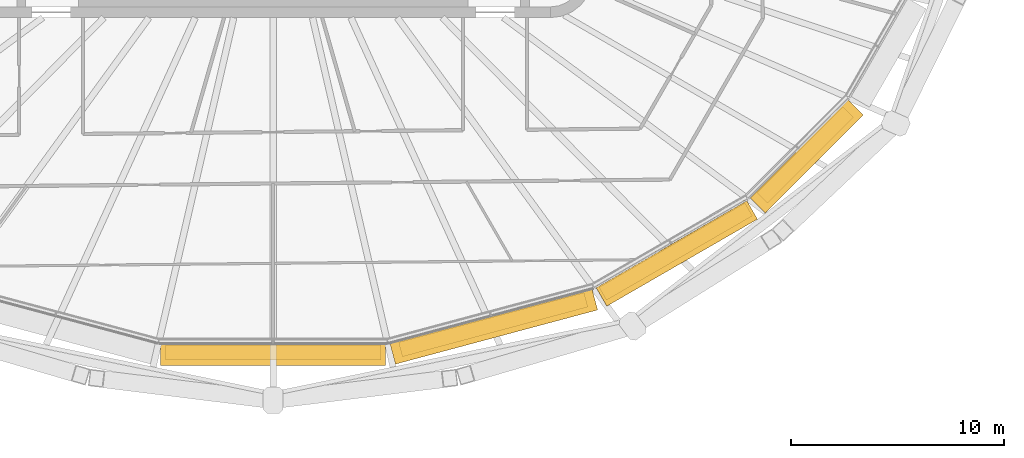
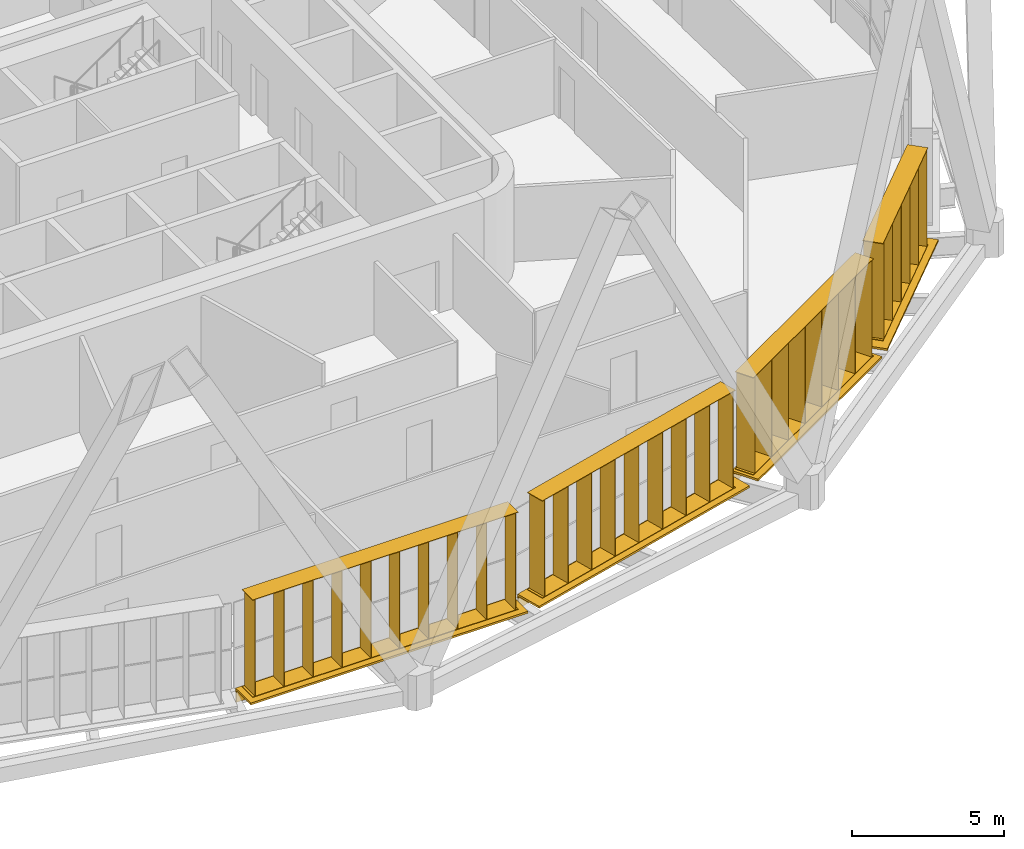
# One storey, part 21 of 25: 8 shading devices.
"""IFC4 building model written with IfcOpenShell, lengths in metres."""

import ifcopenshell
import ifcopenshell.guid

model = None  # the IFC model being written
_history = None  # IfcOwnerHistory: only IFC2X3 demands one
_inside = {}  # id of a spatial element -> (the spatial element, [elements in it])
_under = {}  # id of a project, library or spatial element -> (it, [spatial elements below it])
_declared = {}  # id of a project -> (the project, [libraries it declares])
_typed = {}  # id of a type object -> (the type object, [elements of that type])
_made_of = {}  # id of a material, layer set ... -> (it, [elements and type objects made of it])


def new_model(schema):
    """Start an empty IFC model of exactly this schema.

    Asked for "IFC4X3", IfcOpenShell would pick the latest addendum, in which some entities
    have other attributes; the version numbers below select the first issue.
    IFC2X3 requires an IfcOwnerHistory on every rooted entity: one is made here for all.
    """
    global model, _history
    if schema == "IFC4X3":
        model = ifcopenshell.file(schema_version=(4, 3, 0, 0))
    else:
        model = ifcopenshell.file(schema=schema)
    _inside.clear()
    _under.clear()
    _declared.clear()
    _typed.clear()
    _made_of.clear()
    _history = None
    if model.schema == "IFC2X3":
        org = make("IfcOrganization", Name="unknown")
        user = make(
            "IfcPersonAndOrganization",
            ThePerson=make("IfcPerson", FamilyName="unknown"),
            TheOrganization=org,
        )
        app = make(
            "IfcApplication",
            ApplicationDeveloper=org,
            Version="unknown",
            ApplicationFullName="unknown",
            ApplicationIdentifier="unknown",
        )
        _history = make(
            "IfcOwnerHistory",
            OwningUser=user,
            OwningApplication=app,
            ChangeAction="ADDED",
            CreationDate=0,
        )
    return model


def make(cls, **values):
    """One entity of the class cls with the attributes given. An attribute that is None is left unset."""
    return model.create_entity(
        cls, **{name: value for name, value in values.items() if value is not None}
    )


def rooted(cls, **values):
    """An entity with a GlobalId (a new one), such as an element, a storey or a relation."""
    return make(cls, GlobalId=ifcopenshell.guid.new(), OwnerHistory=_history, **values)


def si_unit(unit_type, name, prefix=None):
    """IfcSIUnit, for example si_unit("LENGTHUNIT", "METRE", prefix="MILLI")."""
    return make("IfcSIUnit", UnitType=unit_type, Prefix=prefix, Name=name)


def assignment(units):
    """IfcUnitAssignment: the units of a project."""
    return None if units is None else make("IfcUnitAssignment", Units=units)


def point(xyz):
    """IfcCartesianPoint."""
    return None if xyz is None else make("IfcCartesianPoint", Coordinates=xyz)


def direction(xyz):
    """IfcDirection."""
    return None if xyz is None else make("IfcDirection", DirectionRatios=xyz)


def frame(location, z_axis=None, x_axis=None):
    """IfcAxis2Placement3D, a coordinate frame: its origin and axes. An axis left out is left unset."""
    return make(
        "IfcAxis2Placement3D",
        Location=point(location),
        Axis=direction(z_axis),
        RefDirection=direction(x_axis),
    )


def frame_2d(location, x_axis=None):
    """IfcAxis2Placement2D, a coordinate frame in the plane: its origin and x axis."""
    return make(
        "IfcAxis2Placement2D", Location=point(location), RefDirection=direction(x_axis)
    )


def origin():
    """The frame at (0, 0, 0) with its axes left unset."""
    return frame((0.0, 0.0, 0.0))


def origin_2d():
    """The frame at (0, 0) in the plane with its x axis left unset."""
    return frame_2d((0.0, 0.0))


def place(relative_to, where):
    """IfcLocalPlacement: puts the frame where relative to a parent placement (None: the world)."""
    return make(
        "IfcLocalPlacement", PlacementRelTo=relative_to, RelativePlacement=where
    )


def context(
    kind, dimensions, precision=None, world=None, true_north=None, identifier=None
):
    """IfcGeometricRepresentationContext, for example the 3D "Model" context."""
    return make(
        "IfcGeometricRepresentationContext",
        ContextIdentifier=identifier,
        ContextType=kind,
        CoordinateSpaceDimension=dimensions,
        Precision=precision,
        WorldCoordinateSystem=world,
        TrueNorth=true_north,
    )


def subcontext(parent, identifier, kind, view, scale=None):
    """IfcGeometricRepresentationSubContext, for example "Body" below "Model"."""
    return make(
        "IfcGeometricRepresentationSubContext",
        ContextIdentifier=identifier,
        ContextType=kind,
        ParentContext=parent,
        TargetScale=scale,
        TargetView=view,
    )


def project(units=None, contexts=None):
    """IfcProject with its units and contexts."""
    return rooted(
        "IfcProject",
        Name="project",
        RepresentationContexts=contexts,
        UnitsInContext=assignment(units),
    )


def spatial(cls, under=None, at=None, **own):
    """A site, building, storey or space (cls), placed at a placement, below another one or the project."""
    s = rooted(cls, ObjectPlacement=at, **own)
    if under is not None:
        _under.setdefault(under.id(), (under, []))[1].append(s)
    return s


def profile(cls, at=None, kind="AREA", **sizes):
    """A parametric profile (cls). Its sizes go by their IFC names, for example OverallWidth=200.0."""
    return make(cls, ProfileType=kind, Position=at, **sizes)


def rectangle(**sizes):
    """IfcRectangleProfileDef."""
    return profile("IfcRectangleProfileDef", **sizes)


def extrude(swept, where, along, depth):
    """IfcExtrudedAreaSolid: the profile swept, set in the frame where, extruded along a direction by depth."""
    return make(
        "IfcExtrudedAreaSolid",
        SweptArea=swept,
        Position=where,
        ExtrudedDirection=direction(along),
        Depth=depth,
    )


def shape(context_of_items, identifier, shape_type, items):
    """IfcShapeRepresentation: the items that make up one representation, for example the "Body"."""
    return make(
        "IfcShapeRepresentation",
        ContextOfItems=context_of_items,
        RepresentationIdentifier=identifier,
        RepresentationType=shape_type,
        Items=items,
    )


def material(Name=None, Category=None):
    """IfcMaterial."""
    return make("IfcMaterial", Name=Name, Category=Category)


def made_of(thing, what):
    """Note that an element or type object is made of a material, layer set ...; save() writes the relation."""
    if what is not None:
        _made_of.setdefault(what.id(), (what, []))[1].append(thing)
    return thing


def type_object(cls, material=None, **own):
    """A type object (cls), such as IfcWallType, which elements share."""
    return made_of(rooted(cls, **own), material)


def element(
    cls,
    number,
    at=None,
    inside=None,
    cuts=None,
    type_object=None,
    material=None,
    context=None,
    identifier="Body",
    shape_type=None,
    held_by="IfcProductDefinitionShape",
    body=None,
    shapes=None,
    **own,
):
    """One element of the class cls, such as IfcWall. Its Tag is "e" and its number.

    at: its placement. inside: the storey or other place that contains it. cuts: it is an
    opening in that element (IfcRelVoidsElement). A single representation is given by context,
    identifier, shape_type and body (its items); several are given by shapes. held_by: the class
    of the entity that holds the representations. save() writes the other relations.
    """
    e = rooted(cls, Tag="e%d" % number, ObjectPlacement=at, **own)
    if body is not None:
        shapes = [shape(context, identifier, shape_type, body)]
    if shapes is not None:
        e.Representation = make(held_by, Representations=shapes)
    if inside is not None:
        _inside.setdefault(inside.id(), (inside, []))[1].append(e)
    if cuts is not None:
        rooted(
            "IfcRelVoidsElement", RelatingBuildingElement=cuts, RelatedOpeningElement=e
        )
    if type_object is not None:
        _typed.setdefault(type_object.id(), (type_object, []))[1].append(e)
    return made_of(e, material)


def aggregate(whole, parts):
    """IfcRelAggregates: a whole, such as a stair, and the parts it consists of."""
    return rooted("IfcRelAggregates", RelatingObject=whole, RelatedObjects=parts)


def save(model, path):
    """Write the relations noted so far, then the file.

    IfcRelAggregates (storeys below a building ...), IfcRelContainedInSpatialStructure (elements
    in a storey), IfcRelDefinesByType, IfcRelAssociatesMaterial and IfcRelDeclares: one each for
    every whole, place, type object, material and project.
    """
    for whole, parts in _under.values():
        aggregate(whole, parts)
    for where, things in _inside.values():
        rooted(
            "IfcRelContainedInSpatialStructure",
            RelatedElements=things,
            RelatingStructure=where,
        )
    for kind, things in _typed.values():
        rooted("IfcRelDefinesByType", RelatedObjects=things, RelatingType=kind)
    for what, things in _made_of.values():
        rooted("IfcRelAssociatesMaterial", RelatedObjects=things, RelatingMaterial=what)
    for by, libraries in _declared.values():
        rooted("IfcRelDeclares", RelatingContext=by, RelatedDefinitions=libraries)
    model.write(path)


model = new_model("IFC4")

# Units and contexts
model_context = context("Model", 3, precision=1e-05, world=origin(), true_north=direction((0.0, 1.0)))
body_context = subcontext(model_context, "Body", "Model", "MODEL_VIEW")
ifc_project = project(units=[si_unit("LENGTHUNIT", "METRE"), si_unit("AREAUNIT", "SQUARE_METRE"), si_unit("VOLUMEUNIT", "CUBIC_METRE"), si_unit("PLANEANGLEUNIT", "RADIAN"), si_unit("MASSUNIT", "GRAM", prefix="KILO")], contexts=[model_context])

# Site, building, storey
site_placement = place(None, origin())
site = spatial("IfcSite", under=ifc_project, at=site_placement, CompositionType="ELEMENT")
building_placement = place(site_placement, origin())
building = spatial("IfcBuilding", under=site, at=building_placement, Name="Sahrelin Media Tower", CompositionType="ELEMENT")
storey_placement = place(building_placement, frame((0.0, 0.0, 181.60009765625)))
storey = spatial("IfcBuildingStorey", under=building, at=storey_placement, Name="L38", CompositionType="ELEMENT", Elevation=181.60009765625)

# Shading devices
ifc_material = material(Name="Champagne anodised aluminium 6063-T6", Category="aluminium")
shading_device_type_1 = type_object("IfcShadingDeviceType", Name="Fin cassette", PredefinedType="USERDEFINED", material=ifc_material)
placement_1 = place(storey_placement, frame((0.0, -23.273681640625, 0.0), z_axis=(0.0, 0.0, 1.0), x_axis=(-1.0, 0.0, 0.0)))
element("IfcShadingDevice", 1, at=placement_1, inside=storey, type_object=shading_device_type_1, Name="L38:FIN:L38-18", ObjectType="FIN", PredefinedType="USERDEFINED", context=body_context, shape_type="SweptSolid", body=[
    extrude(rectangle(XDim=10.10009765625, YDim=0.699951171875, at=origin_2d()), frame((0.0, 0.419921875, 0.0)), (0.0, 0.0, 1.0), 0.02001953125),
    extrude(rectangle(XDim=10.10009765625, YDim=0.699951171875, at=origin_2d()), frame((0.0, 0.419921875, 3.89990234375)), (0.0, 0.0, 1.0), 0.02001953125),
    extrude(rectangle(XDim=0.02001953125, YDim=0.699951171875, at=origin_2d()), frame((-4.949951171875, 0.419921875, 0.010009765625), z_axis=(0.0, 0.0, 1.0), x_axis=(1.0, 0.0, 0.0)), (0.0, 0.0, 1.0), 3.89990234375),
    extrude(rectangle(XDim=0.02001953125, YDim=0.699951171875, at=origin_2d()), frame((-3.85009765625, 0.419921875, 0.010009765625), z_axis=(0.0, 0.0, 1.0), x_axis=(1.0, 0.0, 0.0)), (0.0, 0.0, 1.0), 3.89990234375),
    extrude(rectangle(XDim=0.02001953125, YDim=0.699951171875, at=origin_2d()), frame((-2.75, 0.419921875, 0.010009765625), z_axis=(0.0, 0.0, 1.0), x_axis=(1.0, 0.0, 0.0)), (0.0, 0.0, 1.0), 3.89990234375),
    extrude(rectangle(XDim=0.02001953125, YDim=0.699951171875, at=origin_2d()), frame((-1.64990234375, 0.419921875, 0.010009765625), z_axis=(0.0, 0.0, 1.0), x_axis=(1.0, 0.0, 0.0)), (0.0, 0.0, 1.0), 3.89990234375),
    extrude(rectangle(XDim=0.02001953125, YDim=0.699951171875, at=origin_2d()), frame((-0.550048828125, 0.419921875, 0.010009765625), z_axis=(0.0, 0.0, 1.0), x_axis=(1.0, 0.0, 0.0)), (0.0, 0.0, 1.0), 3.89990234375),
    extrude(rectangle(XDim=0.02001953125, YDim=0.699951171875, at=origin_2d()), frame((0.550048828125, 0.419921875, 0.010009765625), z_axis=(0.0, 0.0, 1.0), x_axis=(1.0, 0.0, 0.0)), (0.0, 0.0, 1.0), 3.89990234375),
    extrude(rectangle(XDim=0.02001953125, YDim=0.699951171875, at=origin_2d()), frame((1.64990234375, 0.419921875, 0.010009765625), z_axis=(0.0, 0.0, 1.0), x_axis=(1.0, 0.0, 0.0)), (0.0, 0.0, 1.0), 3.89990234375),
    extrude(rectangle(XDim=0.02001953125, YDim=0.699951171875, at=origin_2d()), frame((2.75, 0.419921875, 0.010009765625), z_axis=(0.0, 0.0, 1.0), x_axis=(1.0, 0.0, 0.0)), (0.0, 0.0, 1.0), 3.89990234375),
    extrude(rectangle(XDim=0.02001953125, YDim=0.699951171875, at=origin_2d()), frame((3.85009765625, 0.419921875, 0.010009765625), z_axis=(0.0, 0.0, 1.0), x_axis=(1.0, 0.0, 0.0)), (0.0, 0.0, 1.0), 3.89990234375),
    extrude(rectangle(XDim=0.02001953125, YDim=0.699951171875, at=origin_2d()), frame((4.949951171875, 0.419921875, 0.010009765625), z_axis=(0.0, 0.0, 1.0), x_axis=(1.0, 0.0, 0.0)), (0.0, 0.0, 1.0), 3.89990234375),
])
placement_2 = place(storey_placement, frame((10.2041015625, -21.97900390625, 0.0), z_axis=(0.0, 0.0, 1.0), x_axis=(-0.965928857556, -0.258807731996, 0.0)))
element("IfcShadingDevice", 2, at=placement_2, inside=storey, type_object=shading_device_type_1, Name="L38:FIN:L38-19", ObjectType="FIN", PredefinedType="USERDEFINED", context=body_context, shape_type="SweptSolid", body=[
    extrude(rectangle(XDim=9.0, YDim=0.699951171875, at=origin_2d()), frame((0.0, 0.419921875, 0.0)), (0.0, 0.0, 1.0), 0.02001953125),
    extrude(rectangle(XDim=9.0, YDim=0.699951171875, at=origin_2d()), frame((0.0, 0.419921875, 3.89990234375)), (0.0, 0.0, 1.0), 0.02001953125),
    extrude(rectangle(XDim=0.02001953125, YDim=0.699951171875, at=origin_2d()), frame((-4.39990234375, 0.419921875, 0.010009765625), z_axis=(0.0, 0.0, 1.0), x_axis=(1.0, 0.0, 0.0)), (0.0, 0.0, 1.0), 3.89990234375),
    extrude(rectangle(XDim=0.02001953125, YDim=0.699951171875, at=origin_2d()), frame((-3.300048828125, 0.419921875, 0.010009765625), z_axis=(0.0, 0.0, 1.0), x_axis=(1.0, 0.0, 0.0)), (0.0, 0.0, 1.0), 3.89990234375),
    extrude(rectangle(XDim=0.02001953125, YDim=0.699951171875, at=origin_2d()), frame((-2.199951171875, 0.419921875, 0.010009765625), z_axis=(0.0, 0.0, 1.0), x_axis=(1.0, 0.0, 0.0)), (0.0, 0.0, 1.0), 3.89990234375),
    extrude(rectangle(XDim=0.02001953125, YDim=0.699951171875, at=origin_2d()), frame((-1.10009765625, 0.419921875, 0.010009765625), z_axis=(0.0, 0.0, 1.0), x_axis=(1.0, 0.0, 0.0)), (0.0, 0.0, 1.0), 3.89990234375),
    extrude(rectangle(XDim=0.02001953125, YDim=0.699951171875, at=origin_2d()), frame((0.0, 0.419921875, 0.010009765625), z_axis=(0.0, 0.0, 1.0), x_axis=(1.0, 0.0, 0.0)), (0.0, 0.0, 1.0), 3.89990234375),
    extrude(rectangle(XDim=0.02001953125, YDim=0.699951171875, at=origin_2d()), frame((1.10009765625, 0.419921875, 0.010009765625), z_axis=(0.0, 0.0, 1.0), x_axis=(1.0, 0.0, 0.0)), (0.0, 0.0, 1.0), 3.89990234375),
    extrude(rectangle(XDim=0.02001953125, YDim=0.699951171875, at=origin_2d()), frame((2.199951171875, 0.419921875, 0.010009765625), z_axis=(0.0, 0.0, 1.0), x_axis=(1.0, 0.0, 0.0)), (0.0, 0.0, 1.0), 3.89990234375),
    extrude(rectangle(XDim=0.02001953125, YDim=0.699951171875, at=origin_2d()), frame((3.300048828125, 0.419921875, 0.010009765625), z_axis=(0.0, 0.0, 1.0), x_axis=(1.0, 0.0, 0.0)), (0.0, 0.0, 1.0), 3.89990234375),
    extrude(rectangle(XDim=0.02001953125, YDim=0.699951171875, at=origin_2d()), frame((4.39990234375, 0.419921875, 0.010009765625), z_axis=(0.0, 0.0, 1.0), x_axis=(1.0, 0.0, 0.0)), (0.0, 0.0, 1.0), 3.89990234375),
])
placement_3 = place(storey_placement, frame((18.652099609375, -18.5966796875, 0.0), z_axis=(0.0, 0.0, 1.0), x_axis=(-0.866019052629, -0.500011000363, 0.0)))
element("IfcShadingDevice", 3, at=placement_3, inside=storey, type_object=shading_device_type_1, Name="L38:FIN:L38-20", ObjectType="FIN", PredefinedType="USERDEFINED", context=body_context, shape_type="SweptSolid", body=[
    extrude(rectangle(XDim=7.89990234375, YDim=0.699951171875, at=origin_2d()), frame((0.0, 0.419921875, 0.0)), (0.0, 0.0, 1.0), 0.02001953125),
    extrude(rectangle(XDim=7.89990234375, YDim=0.699951171875, at=origin_2d()), frame((0.0, 0.419921875, 3.89990234375)), (0.0, 0.0, 1.0), 0.02001953125),
    extrude(rectangle(XDim=0.02001953125, YDim=0.699951171875, at=origin_2d()), frame((-3.85009765625, 0.419921875, 0.010009765625), z_axis=(0.0, 0.0, 1.0), x_axis=(1.0, 0.0, 0.0)), (0.0, 0.0, 1.0), 3.89990234375),
    extrude(rectangle(XDim=0.02001953125, YDim=0.699951171875, at=origin_2d()), frame((-2.75, 0.419921875, 0.010009765625), z_axis=(0.0, 0.0, 1.0), x_axis=(1.0, 0.0, 0.0)), (0.0, 0.0, 1.0), 3.89990234375),
    extrude(rectangle(XDim=0.02001953125, YDim=0.699951171875, at=origin_2d()), frame((-1.64990234375, 0.419921875, 0.010009765625), z_axis=(0.0, 0.0, 1.0), x_axis=(1.0, 0.0, 0.0)), (0.0, 0.0, 1.0), 3.89990234375),
    extrude(rectangle(XDim=0.02001953125, YDim=0.699951171875, at=origin_2d()), frame((-0.550048828125, 0.419921875, 0.010009765625), z_axis=(0.0, 0.0, 1.0), x_axis=(1.0, 0.0, 0.0)), (0.0, 0.0, 1.0), 3.89990234375),
    extrude(rectangle(XDim=0.02001953125, YDim=0.699951171875, at=origin_2d()), frame((0.550048828125, 0.419921875, 0.010009765625), z_axis=(0.0, 0.0, 1.0), x_axis=(1.0, 0.0, 0.0)), (0.0, 0.0, 1.0), 3.89990234375),
    extrude(rectangle(XDim=0.02001953125, YDim=0.699951171875, at=origin_2d()), frame((1.64990234375, 0.419921875, 0.010009765625), z_axis=(0.0, 0.0, 1.0), x_axis=(1.0, 0.0, 0.0)), (0.0, 0.0, 1.0), 3.89990234375),
    extrude(rectangle(XDim=0.02001953125, YDim=0.699951171875, at=origin_2d()), frame((2.75, 0.419921875, 0.010009765625), z_axis=(0.0, 0.0, 1.0), x_axis=(1.0, 0.0, 0.0)), (0.0, 0.0, 1.0), 3.89990234375),
    extrude(rectangle(XDim=0.02001953125, YDim=0.699951171875, at=origin_2d()), frame((3.85009765625, 0.419921875, 0.010009765625), z_axis=(0.0, 0.0, 1.0), x_axis=(1.0, 0.0, 0.0)), (0.0, 0.0, 1.0), 3.89990234375),
])
placement_4 = place(storey_placement, frame((24.635986328125, -14.140625, 0.0), z_axis=(0.0, 0.0, 1.0), x_axis=(-0.707106781187, -0.707106781187, 0.0)))
element("IfcShadingDevice", 4, at=placement_4, inside=storey, type_object=shading_device_type_1, Name="L38:FIN:L38-21", ObjectType="FIN", PredefinedType="USERDEFINED", context=body_context, shape_type="SweptSolid", body=[
    extrude(rectangle(XDim=5.699951171875, YDim=0.699951171875, at=origin_2d()), frame((0.0, 0.419921875, 0.0)), (0.0, 0.0, 1.0), 0.02001953125),
    extrude(rectangle(XDim=5.699951171875, YDim=0.699951171875, at=origin_2d()), frame((0.0, 0.419921875, 3.89990234375)), (0.0, 0.0, 1.0), 0.02001953125),
    extrude(rectangle(XDim=0.02001953125, YDim=0.699951171875, at=origin_2d()), frame((-2.75, 0.419921875, 0.010009765625), z_axis=(0.0, 0.0, 1.0), x_axis=(1.0, 0.0, 0.0)), (0.0, 0.0, 1.0), 3.89990234375),
    extrude(rectangle(XDim=0.02001953125, YDim=0.699951171875, at=origin_2d()), frame((-1.64990234375, 0.419921875, 0.010009765625), z_axis=(0.0, 0.0, 1.0), x_axis=(1.0, 0.0, 0.0)), (0.0, 0.0, 1.0), 3.89990234375),
    extrude(rectangle(XDim=0.02001953125, YDim=0.699951171875, at=origin_2d()), frame((-0.550048828125, 0.419921875, 0.010009765625), z_axis=(0.0, 0.0, 1.0), x_axis=(1.0, 0.0, 0.0)), (0.0, 0.0, 1.0), 3.89990234375),
    extrude(rectangle(XDim=0.02001953125, YDim=0.699951171875, at=origin_2d()), frame((0.550048828125, 0.419921875, 0.010009765625), z_axis=(0.0, 0.0, 1.0), x_axis=(1.0, 0.0, 0.0)), (0.0, 0.0, 1.0), 3.89990234375),
    extrude(rectangle(XDim=0.02001953125, YDim=0.699951171875, at=origin_2d()), frame((1.64990234375, 0.419921875, 0.010009765625), z_axis=(0.0, 0.0, 1.0), x_axis=(1.0, 0.0, 0.0)), (0.0, 0.0, 1.0), 3.89990234375),
    extrude(rectangle(XDim=0.02001953125, YDim=0.699951171875, at=origin_2d()), frame((2.75, 0.419921875, 0.010009765625), z_axis=(0.0, 0.0, 1.0), x_axis=(1.0, 0.0, 0.0)), (0.0, 0.0, 1.0), 3.89990234375),
])
shading_device_type_2 = type_object("IfcShadingDeviceType", Name="Sunshade band", PredefinedType="USERDEFINED", material=ifc_material)
element("IfcShadingDevice", 5, at=placement_1, inside=storey, type_object=shading_device_type_2, Name="L38:SUN:L38-18", ObjectType="SUNSHADE", PredefinedType="USERDEFINED", context=body_context, shape_type="SweptSolid", body=[
    extrude(rectangle(XDim=10.542724609375, YDim=0.050048828125, at=origin_2d()), frame((0.0, 0.044921875, -0.55126953125)), (0.0, 0.0, 1.0), 0.471435546875),
    extrude(rectangle(XDim=10.542724609375, YDim=1.0, at=origin_2d()), frame((0.0, 0.52001953125, -0.080078125)), (0.0, 0.0, 1.0), 0.080078125),
    extrude(rectangle(XDim=0.10009765625, YDim=0.074951171875, at=origin_2d()), frame((-5.17138671875, -0.017578125, -0.47021484375)), (0.0, 0.0, 1.0), 0.300048828125),
    extrude(rectangle(XDim=0.10009765625, YDim=0.074951171875, at=origin_2d()), frame((-3.447509765625, -0.017578125, -0.47021484375)), (0.0, 0.0, 1.0), 0.300048828125),
    extrude(rectangle(XDim=0.10009765625, YDim=0.074951171875, at=origin_2d()), frame((-1.723876953125, -0.017578125, -0.47021484375)), (0.0, 0.0, 1.0), 0.300048828125),
    extrude(rectangle(XDim=0.10009765625, YDim=0.074951171875, at=origin_2d()), frame((0.0, -0.017578125, -0.47021484375)), (0.0, 0.0, 1.0), 0.300048828125),
    extrude(rectangle(XDim=0.10009765625, YDim=0.074951171875, at=origin_2d()), frame((1.723876953125, -0.017578125, -0.47021484375)), (0.0, 0.0, 1.0), 0.300048828125),
    extrude(rectangle(XDim=0.10009765625, YDim=0.074951171875, at=origin_2d()), frame((3.447509765625, -0.017578125, -0.47021484375)), (0.0, 0.0, 1.0), 0.300048828125),
    extrude(rectangle(XDim=0.10009765625, YDim=0.074951171875, at=origin_2d()), frame((5.17138671875, -0.017578125, -0.47021484375)), (0.0, 0.0, 1.0), 0.300048828125),
])
element("IfcShadingDevice", 6, at=placement_2, inside=storey, type_object=shading_device_type_2, Name="L38:SUN:L38-19", ObjectType="SUNSHADE", PredefinedType="USERDEFINED", context=body_context, shape_type="SweptSolid", body=[
    extrude(rectangle(XDim=9.805908203125, YDim=0.050048828125, at=origin_2d()), frame((0.0, 0.044921875, -0.55126953125)), (0.0, 0.0, 1.0), 0.471435546875),
    extrude(rectangle(XDim=9.805908203125, YDim=1.0, at=origin_2d()), frame((0.0, 0.52001953125, -0.080078125)), (0.0, 0.0, 1.0), 0.080078125),
    extrude(rectangle(XDim=0.10009765625, YDim=0.074951171875, at=origin_2d()), frame((-4.802978515625, -0.017578125, -0.47021484375)), (0.0, 0.0, 1.0), 0.300048828125),
    extrude(rectangle(XDim=0.10009765625, YDim=0.074951171875, at=origin_2d()), frame((-2.8818359375, -0.017578125, -0.47021484375)), (0.0, 0.0, 1.0), 0.300048828125),
    extrude(rectangle(XDim=0.10009765625, YDim=0.074951171875, at=origin_2d()), frame((-0.960693359375, -0.017578125, -0.47021484375)), (0.0, 0.0, 1.0), 0.300048828125),
    extrude(rectangle(XDim=0.10009765625, YDim=0.074951171875, at=origin_2d()), frame((0.960693359375, -0.017578125, -0.47021484375)), (0.0, 0.0, 1.0), 0.300048828125),
    extrude(rectangle(XDim=0.10009765625, YDim=0.074951171875, at=origin_2d()), frame((2.8818359375, -0.017578125, -0.47021484375)), (0.0, 0.0, 1.0), 0.300048828125),
    extrude(rectangle(XDim=0.10009765625, YDim=0.074951171875, at=origin_2d()), frame((4.802978515625, -0.017578125, -0.47021484375)), (0.0, 0.0, 1.0), 0.300048828125),
])
element("IfcShadingDevice", 7, at=placement_3, inside=storey, type_object=shading_device_type_2, Name="L38:SUN:L38-20", ObjectType="SUNSHADE", PredefinedType="USERDEFINED", context=body_context, shape_type="SweptSolid", body=[
    extrude(rectangle(XDim=8.149658203125, YDim=0.050048828125, at=origin_2d()), frame((0.0, 0.044921875, -0.55126953125)), (0.0, 0.0, 1.0), 0.471435546875),
    extrude(rectangle(XDim=8.149658203125, YDim=1.0, at=origin_2d()), frame((0.0, 0.52001953125, -0.080078125)), (0.0, 0.0, 1.0), 0.080078125),
    extrude(rectangle(XDim=0.10009765625, YDim=0.074951171875, at=origin_2d()), frame((-3.974853515625, -0.017578125, -0.47021484375)), (0.0, 0.0, 1.0), 0.300048828125),
    extrude(rectangle(XDim=0.10009765625, YDim=0.074951171875, at=origin_2d()), frame((-2.385009765625, -0.017578125, -0.47021484375)), (0.0, 0.0, 1.0), 0.300048828125),
    extrude(rectangle(XDim=0.10009765625, YDim=0.074951171875, at=origin_2d()), frame((-0.794921875, -0.017578125, -0.47021484375)), (0.0, 0.0, 1.0), 0.300048828125),
    extrude(rectangle(XDim=0.10009765625, YDim=0.074951171875, at=origin_2d()), frame((0.794921875, -0.017578125, -0.47021484375)), (0.0, 0.0, 1.0), 0.300048828125),
    extrude(rectangle(XDim=0.10009765625, YDim=0.074951171875, at=origin_2d()), frame((2.385009765625, -0.017578125, -0.47021484375)), (0.0, 0.0, 1.0), 0.300048828125),
    extrude(rectangle(XDim=0.10009765625, YDim=0.074951171875, at=origin_2d()), frame((3.974853515625, -0.017578125, -0.47021484375)), (0.0, 0.0, 1.0), 0.300048828125),
])
element("IfcShadingDevice", 8, at=placement_4, inside=storey, type_object=shading_device_type_2, Name="L38:SUN:L38-21", ObjectType="SUNSHADE", PredefinedType="USERDEFINED", context=body_context, shape_type="SweptSolid", body=[
    extrude(rectangle(XDim=6.4990234375, YDim=0.050048828125, at=origin_2d()), frame((0.0, 0.044921875, -0.55126953125)), (0.0, 0.0, 1.0), 0.471435546875),
    extrude(rectangle(XDim=6.4990234375, YDim=1.0, at=origin_2d()), frame((0.0, 0.52001953125, -0.080078125)), (0.0, 0.0, 1.0), 0.080078125),
    extrude(rectangle(XDim=0.10009765625, YDim=0.074951171875, at=origin_2d()), frame((-3.149658203125, -0.017578125, -0.47021484375)), (0.0, 0.0, 1.0), 0.300048828125),
    extrude(rectangle(XDim=0.10009765625, YDim=0.074951171875, at=origin_2d()), frame((-1.57470703125, -0.017578125, -0.47021484375)), (0.0, 0.0, 1.0), 0.300048828125),
    extrude(rectangle(XDim=0.10009765625, YDim=0.074951171875, at=origin_2d()), frame((0.0, -0.017578125, -0.47021484375)), (0.0, 0.0, 1.0), 0.300048828125),
    extrude(rectangle(XDim=0.10009765625, YDim=0.074951171875, at=origin_2d()), frame((1.57470703125, -0.017578125, -0.47021484375)), (0.0, 0.0, 1.0), 0.300048828125),
    extrude(rectangle(XDim=0.10009765625, YDim=0.074951171875, at=origin_2d()), frame((3.149658203125, -0.017578125, -0.47021484375)), (0.0, 0.0, 1.0), 0.300048828125),
])

save(model, "model.ifc")
